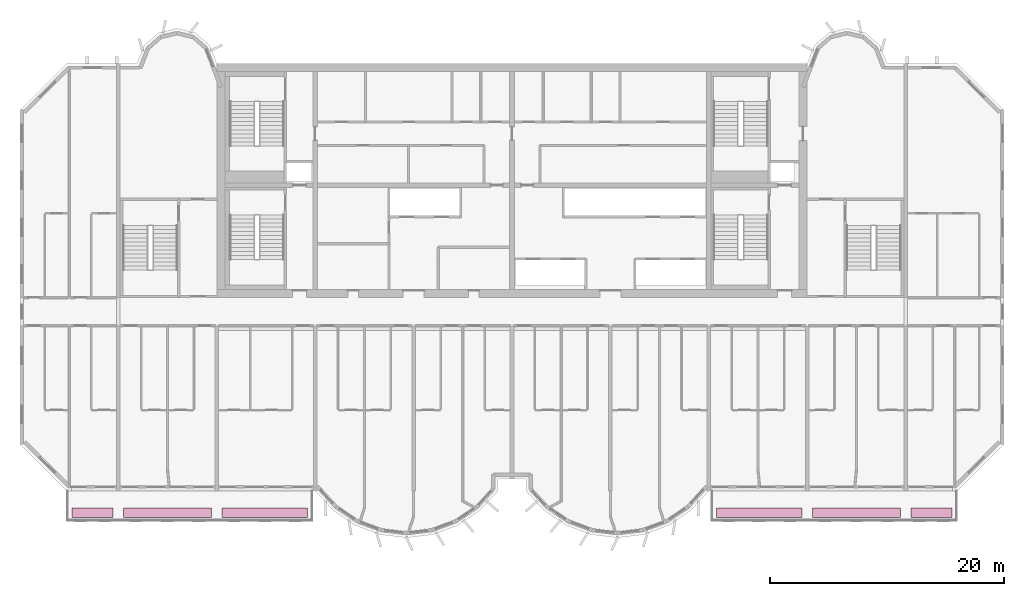
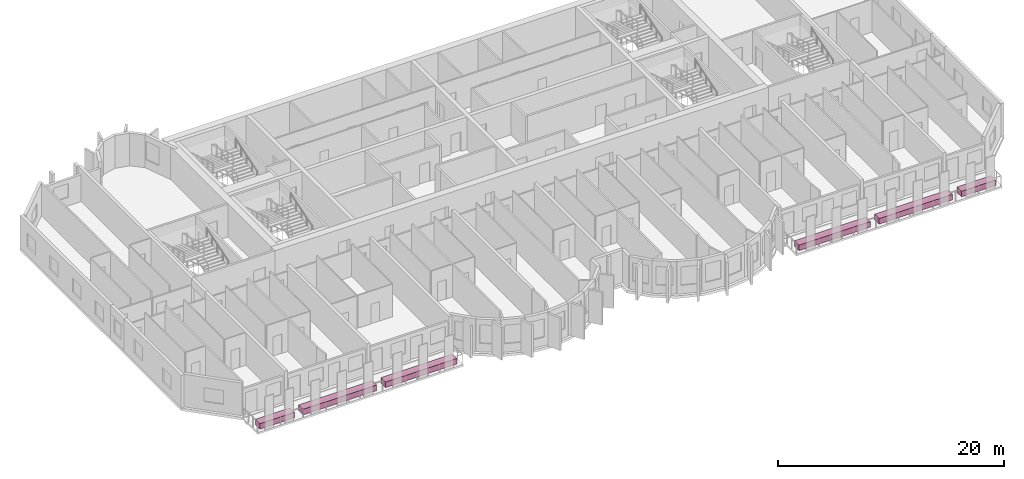
# One storey, part 13 of 13: 6 furniture elements.
"""IFC4 building model written with IfcOpenShell, lengths in metres."""

from ifc_helpers import new_model, si_unit, direction, frame, origin, origin_2d, place, context, subcontext, project, spatial, rectangle, extrude, source, transform, mapped, material, type_object, element, save


model = new_model("IFC4")

# Units and contexts
model_context = context("Model", 3, precision=1e-05, world=origin(), true_north=direction((0.0, 1.0)))
body_context = subcontext(model_context, "Body", "Model", "MODEL_VIEW")
ifc_project = project(units=[si_unit("LENGTHUNIT", "METRE"), si_unit("AREAUNIT", "SQUARE_METRE"), si_unit("VOLUMEUNIT", "CUBIC_METRE"), si_unit("PLANEANGLEUNIT", "RADIAN"), si_unit("MASSUNIT", "GRAM", prefix="KILO")], contexts=[model_context])

# Site, building, storey
site_placement = place(None, origin())
site = spatial("IfcSite", under=ifc_project, at=site_placement, CompositionType="ELEMENT")
building_placement = place(site_placement, origin())
building = spatial("IfcBuilding", under=site, at=building_placement, Name="Vanashikhar Sky Hotel", CompositionType="ELEMENT")
storey_placement = place(building_placement, frame((0.0, 0.0, 182.0)))
storey = spatial("IfcBuildingStorey", under=building, at=storey_placement, Name="L44", CompositionType="ELEMENT", Elevation=182.0)

# Furniture
ifc_material = material(Name="Planting soil and shrubs")
furniture_type = type_object("IfcFurnitureType", Name="Planter trough", AssemblyPlace="NOTDEFINED", PredefinedType="USERDEFINED", material=ifc_material)
shared_shape_1 = source(origin(), body_context, "Body", "SweptSolid", [
    extrude(rectangle(XDim=3.5, YDim=0.800048828125, at=origin_2d()), origin(), (0.0, 0.0, 1.0), 0.60009765625),
])
for number, where, z_axis, x_axis, name in (
    (1, (14.60009765625, 3.64990234375, -0.050048828125), (0.0, 0.0, 1.0), (1.0, 0.0, 0.0), "PLANTER with climbers"),
    (2, (86.199951171875, 3.64990234375, -0.050048828125), (0.0, 0.0, 1.0), (1.0, 0.0, 0.0), "PLANTER with climbers"),
):
    element("IfcFurniture", number, at=place(storey_placement, frame(where, z_axis=z_axis, x_axis=x_axis)), inside=storey, type_object=furniture_type, Name=name, ObjectType="PLANTER", PredefinedType="USERDEFINED", context=body_context, shape_type="MappedRepresentation", body=[
        mapped(shared_shape_1, transform((0.0, 0.0, 0.0), scale=1.0)),
    ])
shared_shape_2 = source(origin(), body_context, "Body", "SweptSolid", [
    extrude(rectangle(XDim=7.5, YDim=0.800048828125, at=origin_2d()), origin(), (0.0, 0.0, 1.0), 0.60009765625),
])
for number, where, z_axis, x_axis, name in (
    (3, (21.0, 3.64990234375, -0.050048828125), (0.0, 0.0, 1.0), (1.0, 0.0, 0.0), "PLANTER with climbers"),
    (4, (79.800048828125, 3.64990234375, -0.050048828125), (0.0, 0.0, 1.0), (1.0, 0.0, 0.0), "PLANTER with climbers"),
):
    element("IfcFurniture", number, at=place(storey_placement, frame(where, z_axis=z_axis, x_axis=x_axis)), inside=storey, type_object=furniture_type, Name=name, ObjectType="PLANTER", PredefinedType="USERDEFINED", context=body_context, shape_type="MappedRepresentation", body=[
        mapped(shared_shape_2, transform((0.0, 0.0, 0.0), scale=1.0)),
    ])
shared_shape_3 = source(origin(), body_context, "Body", "SweptSolid", [
    extrude(rectangle(XDim=7.300048828125, YDim=0.800048828125, at=origin_2d()), origin(), (0.0, 0.0, 1.0), 0.60009765625),
])
for number, where, z_axis, x_axis, name in (
    (5, (29.300048828125, 3.64990234375, -0.050048828125), (0.0, 0.0, 1.0), (1.0, 0.0, 0.0), "PLANTER with climbers"),
    (6, (71.5, 3.64990234375, -0.050048828125), (0.0, 0.0, 1.0), (1.0, 0.0, 0.0), "PLANTER with climbers"),
):
    element("IfcFurniture", number, at=place(storey_placement, frame(where, z_axis=z_axis, x_axis=x_axis)), inside=storey, type_object=furniture_type, Name=name, ObjectType="PLANTER", PredefinedType="USERDEFINED", context=body_context, shape_type="MappedRepresentation", body=[
        mapped(shared_shape_3, transform((0.0, 0.0, 0.0), scale=1.0)),
    ])

save(model, "model.ifc")
